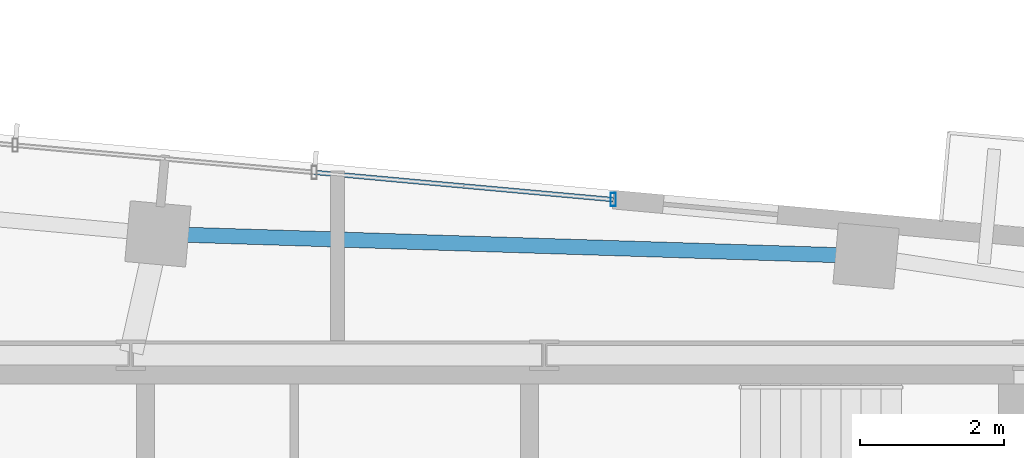
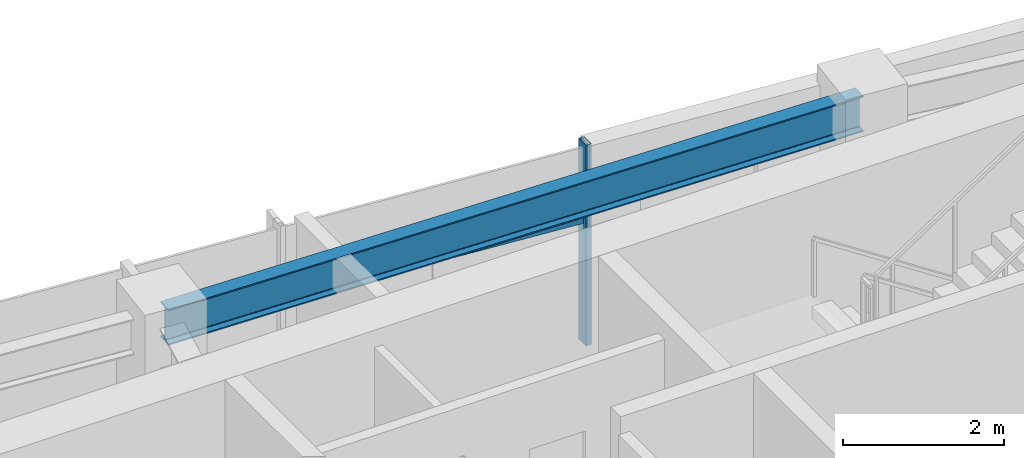
# One storey, part 11 of 22: 2 members, 1 beam, 1 element without a shape of its own.
"""IFC4 building model written with IfcOpenShell, lengths in metres."""

from ifc_helpers import new_model, si_unit, direction, frame, origin, origin_2d, place, context, subcontext, project, spatial, hollow_rectangle, i_section, extrude, source, transform, mapped, material, material_profile, profile_set, type_object, type_shapes, element, aggregate, save


model = new_model("IFC4")

# Units and contexts
model_context = context("Model", 3, precision=1e-05, world=origin(), true_north=direction((0.0, 1.0)))
body_context = subcontext(model_context, "Body", "Model", "MODEL_VIEW")
ifc_project = project(units=[si_unit("LENGTHUNIT", "METRE"), si_unit("AREAUNIT", "SQUARE_METRE"), si_unit("VOLUMEUNIT", "CUBIC_METRE"), si_unit("PLANEANGLEUNIT", "RADIAN"), si_unit("MASSUNIT", "GRAM", prefix="KILO")], contexts=[model_context])

# Site, building, storey
site_placement = place(None, origin())
site = spatial("IfcSite", under=ifc_project, at=site_placement, CompositionType="ELEMENT")
building_placement = place(site_placement, origin())
building = spatial("IfcBuilding", under=site, at=building_placement, Name="Astriad Promenade Condominiums", CompositionType="ELEMENT")
storey_placement = place(building_placement, frame((0.0, 0.0, 223.199951171875)))
storey = spatial("IfcBuildingStorey", under=building, at=storey_placement, Name="L64", CompositionType="ELEMENT", Elevation=223.199951171875)

# Beam
ifc_material_1 = material(Name="Steel ASTM A992 Grade 50", Category="steel")
ifc_material_profile_1 = material_profile(ifc_material_1, i_section(OverallWidth=0.210693359375, OverallDepth=0.53955078125, WebThickness=0.01171875, FlangeThickness=0.018798828125, FilletRadius=0.0166015625, at=origin_2d()), Name="W21X73")
ifc_profile_set_1 = profile_set([ifc_material_profile_1], Name="Steel ASTM A992 Grade 50")
beam_type = type_object("IfcBeamType", Name="STEEL SPANDREL BEAM W21X73", PredefinedType="SPANDREL", material=ifc_profile_set_1)
shared_shape_1 = source(origin(), body_context, "Body", "SweptSolid", [
    extrude(i_section(OverallWidth=0.210693359375, OverallDepth=0.53955078125, WebThickness=0.01171875, FlangeThickness=0.018798828125, FilletRadius=0.0166015625, at=origin_2d()), origin(), (0.0, 0.0, 1.0), 9.783935546875),
])
type_shapes(beam_type, [shared_shape_1])
beam_placement = place(storey_placement, frame((43.31884765625, 25.381103515625, 2.770263671875), z_axis=(-0.999511077438, 0.031266692798, 0.0), x_axis=(-0.031266692798, -0.999511077438, 0.0)))
element("IfcBeam", 1, at=beam_placement, inside=storey, type_object=beam_type, Name="Perimeter Spandrel Beam SP-N3-L64", PredefinedType="SPANDREL", context=body_context, shape_type="MappedRepresentation", body=[
    mapped(shared_shape_1, transform((0.0, 0.0, 0.0), scale=1.0)),
])

# Curtain wall, members
ifc_material_2 = material(Name="Anodised aluminium Black Dark Glass Unitised", Category="aluminium")
curtain_wall_type = type_object("IfcCurtainWallType", Name="CW-B5-DARK", PredefinedType="USERDEFINED", material=ifc_material_2)
curtain_wall_placement = place(storey_placement, origin())
curtain_wall = element("IfcCurtainWall", 2, at=curtain_wall_placement, inside=storey, type_object=curtain_wall_type, Name="CW-L64-N", ObjectType="UNITISED_CURTAIN_WALL", PredefinedType="USERDEFINED")
ifc_material_3 = material(Name="Anodised aluminium 6063-T6 Black", Category="aluminium")
ifc_material_profile_2 = material_profile(ifc_material_3, hollow_rectangle(XDim=0.06494140625, YDim=0.1298828125, WallThickness=0.00390625, at=origin_2d()), Name="ALU-TRN-65X130")
ifc_profile_set_2 = profile_set([ifc_material_profile_2], Name="Anodised aluminium 6063-T6 Black")
member_type_1 = type_object("IfcMemberType", Name="TRN-ALU-TRN-65X130", PredefinedType="USERDEFINED", material=ifc_profile_set_2)
shared_shape_2 = source(origin(), body_context, "Body", "SweptSolid", [
    extrude(hollow_rectangle(XDim=0.06494140625, YDim=0.1298828125, WallThickness=0.00390625, at=origin_2d()), origin(), (0.0, 0.0, 1.0), 4.179931640625),
])
type_shapes(member_type_1, [shared_shape_2])
member_1_placement = place(storey_placement, frame((35.67626953125, 26.54443359375, 1.884765625), z_axis=(0.995883146811, -0.090646334165, 0.0), x_axis=(0.090646334165, 0.995883146811, 0.0)))
member_1 = element("IfcMember", 3, at=member_1_placement, type_object=member_type_1, Name="CW-L64-N-TRN-02-0", ObjectType="TRANSOM", PredefinedType="USERDEFINED", context=body_context, shape_type="MappedRepresentation", body=[
    mapped(shared_shape_2, transform((0.0, 0.0, 0.0), scale=1.0)),
])
ifc_material_profile_3 = material_profile(ifc_material_3, hollow_rectangle(XDim=0.074951171875, YDim=0.18505859375, WallThickness=0.00439453125, at=origin_2d()), Name="ALU-MUL-75X185")
ifc_profile_set_3 = profile_set([ifc_material_profile_3], Name="Anodised aluminium 6063-T6 Black")
member_type_2 = type_object("IfcMemberType", Name="MUL-ALU-MUL-75X185", PredefinedType="MULLION", material=ifc_profile_set_3)
shared_shape_3 = source(origin(), body_context, "Body", "SweptSolid", [
    extrude(hollow_rectangle(XDim=0.074951171875, YDim=0.18505859375, WallThickness=0.00439453125, at=origin_2d()), origin(), (0.0, 0.0, 1.0), 3.0400390625),
])
type_shapes(member_type_2, [shared_shape_3])
member_2_placement = place(storey_placement, frame((39.839111328125, 26.16552734375, 0.0), z_axis=(0.0, 0.0, 1.0), x_axis=(1.0, 0.0, 0.0)))
member_2 = element("IfcMember", 4, at=member_2_placement, type_object=member_type_2, Name="CW-L64-N-MUL-03", PredefinedType="MULLION", context=body_context, shape_type="MappedRepresentation", body=[
    mapped(shared_shape_3, transform((0.0, 0.0, 0.0), scale=1.0)),
])
aggregate(curtain_wall, [member_2, member_1])

save(model, "model.ifc")
